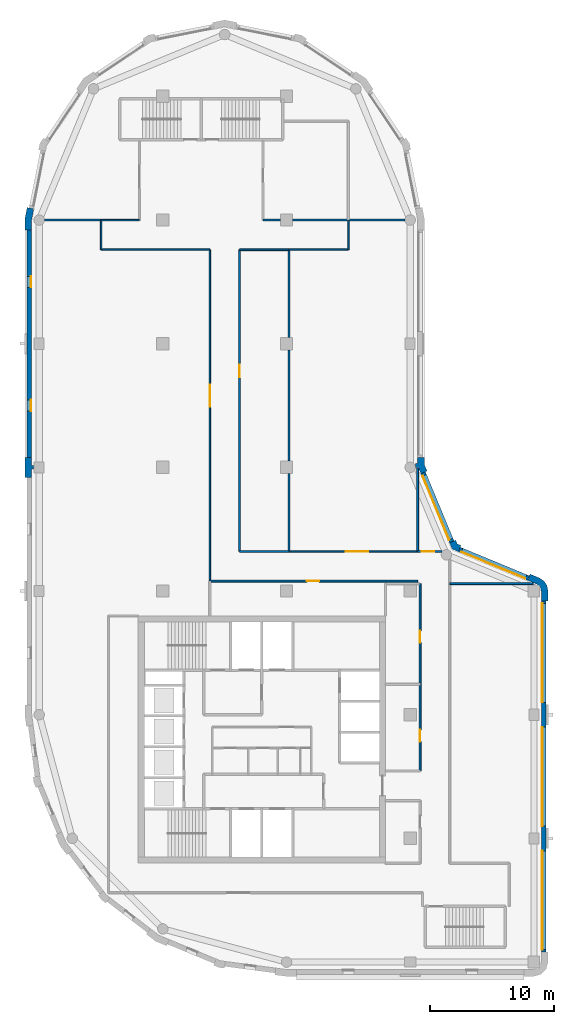
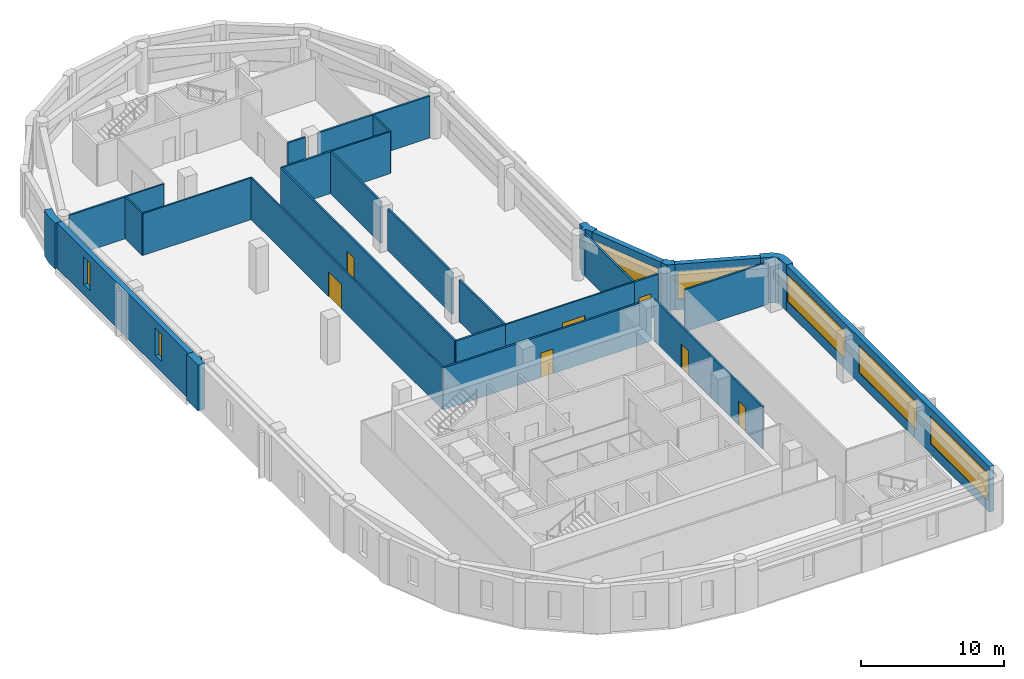
# One storey, part 4 of 8: 30 walls, 7 doors, 7 windows, 14 openings.
"""IFC4 building model written with IfcOpenShell, lengths in metres."""

import ifcopenshell
import ifcopenshell.guid

model = None  # the IFC model being written
_history = None  # IfcOwnerHistory: only IFC2X3 demands one
_inside = {}  # id of a spatial element -> (the spatial element, [elements in it])
_under = {}  # id of a project, library or spatial element -> (it, [spatial elements below it])
_declared = {}  # id of a project -> (the project, [libraries it declares])
_typed = {}  # id of a type object -> (the type object, [elements of that type])
_made_of = {}  # id of a material, layer set ... -> (it, [elements and type objects made of it])


def new_model(schema):
    """Start an empty IFC model of exactly this schema.

    Asked for "IFC4X3", IfcOpenShell would pick the latest addendum, in which some entities
    have other attributes; the version numbers below select the first issue.
    IFC2X3 requires an IfcOwnerHistory on every rooted entity: one is made here for all.
    """
    global model, _history
    if schema == "IFC4X3":
        model = ifcopenshell.file(schema_version=(4, 3, 0, 0))
    else:
        model = ifcopenshell.file(schema=schema)
    _inside.clear()
    _under.clear()
    _declared.clear()
    _typed.clear()
    _made_of.clear()
    _history = None
    if model.schema == "IFC2X3":
        org = make("IfcOrganization", Name="unknown")
        user = make(
            "IfcPersonAndOrganization",
            ThePerson=make("IfcPerson", FamilyName="unknown"),
            TheOrganization=org,
        )
        app = make(
            "IfcApplication",
            ApplicationDeveloper=org,
            Version="unknown",
            ApplicationFullName="unknown",
            ApplicationIdentifier="unknown",
        )
        _history = make(
            "IfcOwnerHistory",
            OwningUser=user,
            OwningApplication=app,
            ChangeAction="ADDED",
            CreationDate=0,
        )
    return model


def make(cls, **values):
    """One entity of the class cls with the attributes given. An attribute that is None is left unset."""
    return model.create_entity(
        cls, **{name: value for name, value in values.items() if value is not None}
    )


def rooted(cls, **values):
    """An entity with a GlobalId (a new one), such as an element, a storey or a relation."""
    return make(cls, GlobalId=ifcopenshell.guid.new(), OwnerHistory=_history, **values)


def si_unit(unit_type, name, prefix=None):
    """IfcSIUnit, for example si_unit("LENGTHUNIT", "METRE", prefix="MILLI")."""
    return make("IfcSIUnit", UnitType=unit_type, Prefix=prefix, Name=name)


def assignment(units):
    """IfcUnitAssignment: the units of a project."""
    return None if units is None else make("IfcUnitAssignment", Units=units)


def point(xyz):
    """IfcCartesianPoint."""
    return None if xyz is None else make("IfcCartesianPoint", Coordinates=xyz)


def direction(xyz):
    """IfcDirection."""
    return None if xyz is None else make("IfcDirection", DirectionRatios=xyz)


def frame(location, z_axis=None, x_axis=None):
    """IfcAxis2Placement3D, a coordinate frame: its origin and axes. An axis left out is left unset."""
    return make(
        "IfcAxis2Placement3D",
        Location=point(location),
        Axis=direction(z_axis),
        RefDirection=direction(x_axis),
    )


def frame_2d(location, x_axis=None):
    """IfcAxis2Placement2D, a coordinate frame in the plane: its origin and x axis."""
    return make(
        "IfcAxis2Placement2D", Location=point(location), RefDirection=direction(x_axis)
    )


def origin():
    """The frame at (0, 0, 0) with its axes left unset."""
    return frame((0.0, 0.0, 0.0))


def place(relative_to, where):
    """IfcLocalPlacement: puts the frame where relative to a parent placement (None: the world)."""
    return make(
        "IfcLocalPlacement", PlacementRelTo=relative_to, RelativePlacement=where
    )


def context(
    kind, dimensions, precision=None, world=None, true_north=None, identifier=None
):
    """IfcGeometricRepresentationContext, for example the 3D "Model" context."""
    return make(
        "IfcGeometricRepresentationContext",
        ContextIdentifier=identifier,
        ContextType=kind,
        CoordinateSpaceDimension=dimensions,
        Precision=precision,
        WorldCoordinateSystem=world,
        TrueNorth=true_north,
    )


def subcontext(parent, identifier, kind, view, scale=None):
    """IfcGeometricRepresentationSubContext, for example "Body" below "Model"."""
    return make(
        "IfcGeometricRepresentationSubContext",
        ContextIdentifier=identifier,
        ContextType=kind,
        ParentContext=parent,
        TargetScale=scale,
        TargetView=view,
    )


def project(units=None, contexts=None):
    """IfcProject with its units and contexts."""
    return rooted(
        "IfcProject",
        Name="project",
        RepresentationContexts=contexts,
        UnitsInContext=assignment(units),
    )


def spatial(cls, under=None, at=None, **own):
    """A site, building, storey or space (cls), placed at a placement, below another one or the project."""
    s = rooted(cls, ObjectPlacement=at, **own)
    if under is not None:
        _under.setdefault(under.id(), (under, []))[1].append(s)
    return s


def polyline(points):
    """IfcPolyline through the points."""
    return make("IfcPolyline", Points=[point(p) for p in points])


def profile(cls, at=None, kind="AREA", **sizes):
    """A parametric profile (cls). Its sizes go by their IFC names, for example OverallWidth=200.0."""
    return make(cls, ProfileType=kind, Position=at, **sizes)


def rectangle(**sizes):
    """IfcRectangleProfileDef."""
    return profile("IfcRectangleProfileDef", **sizes)


def outline(outer, holes=None, kind="AREA"):
    """IfcArbitraryClosedProfileDef: a profile drawn as a closed curve; with holes, ...WithVoids."""
    if holes is None:
        return make("IfcArbitraryClosedProfileDef", ProfileType=kind, OuterCurve=outer)
    return make(
        "IfcArbitraryProfileDefWithVoids",
        ProfileType=kind,
        OuterCurve=outer,
        InnerCurves=holes,
    )


def extrude(swept, where, along, depth):
    """IfcExtrudedAreaSolid: the profile swept, set in the frame where, extruded along a direction by depth."""
    return make(
        "IfcExtrudedAreaSolid",
        SweptArea=swept,
        Position=where,
        ExtrudedDirection=direction(along),
        Depth=depth,
    )


def shape(context_of_items, identifier, shape_type, items):
    """IfcShapeRepresentation: the items that make up one representation, for example the "Body"."""
    return make(
        "IfcShapeRepresentation",
        ContextOfItems=context_of_items,
        RepresentationIdentifier=identifier,
        RepresentationType=shape_type,
        Items=items,
    )


def material(Name=None, Category=None):
    """IfcMaterial."""
    return make("IfcMaterial", Name=Name, Category=Category)


def layer(
    of_material, thickness, ventilated=None, Name=None, Category=None, Priority=None
):
    """IfcMaterialLayer: one layer of a wall or slab, of a material (None: an air gap)."""
    return make(
        "IfcMaterialLayer",
        Material=of_material,
        LayerThickness=thickness,
        IsVentilated=ventilated,
        Name=Name,
        Category=Category,
        Priority=Priority,
    )


def layer_set(layers, Name=None):
    """IfcMaterialLayerSet."""
    return make("IfcMaterialLayerSet", MaterialLayers=layers, LayerSetName=Name)


def made_of(thing, what):
    """Note that an element or type object is made of a material, layer set ...; save() writes the relation."""
    if what is not None:
        _made_of.setdefault(what.id(), (what, []))[1].append(thing)
    return thing


def type_object(cls, material=None, **own):
    """A type object (cls), such as IfcWallType, which elements share."""
    return made_of(rooted(cls, **own), material)


def element(
    cls,
    number,
    at=None,
    inside=None,
    cuts=None,
    type_object=None,
    material=None,
    context=None,
    identifier="Body",
    shape_type=None,
    held_by="IfcProductDefinitionShape",
    body=None,
    shapes=None,
    **own,
):
    """One element of the class cls, such as IfcWall. Its Tag is "e" and its number.

    at: its placement. inside: the storey or other place that contains it. cuts: it is an
    opening in that element (IfcRelVoidsElement). A single representation is given by context,
    identifier, shape_type and body (its items); several are given by shapes. held_by: the class
    of the entity that holds the representations. save() writes the other relations.
    """
    e = rooted(cls, Tag="e%d" % number, ObjectPlacement=at, **own)
    if body is not None:
        shapes = [shape(context, identifier, shape_type, body)]
    if shapes is not None:
        e.Representation = make(held_by, Representations=shapes)
    if inside is not None:
        _inside.setdefault(inside.id(), (inside, []))[1].append(e)
    if cuts is not None:
        rooted(
            "IfcRelVoidsElement", RelatingBuildingElement=cuts, RelatedOpeningElement=e
        )
    if type_object is not None:
        _typed.setdefault(type_object.id(), (type_object, []))[1].append(e)
    return made_of(e, material)


def fill(opening, filler):
    """IfcRelFillsElement: the door or window that sits in an opening."""
    return rooted(
        "IfcRelFillsElement",
        RelatingOpeningElement=opening,
        RelatedBuildingElement=filler,
    )


def aggregate(whole, parts):
    """IfcRelAggregates: a whole, such as a stair, and the parts it consists of."""
    return rooted("IfcRelAggregates", RelatingObject=whole, RelatedObjects=parts)


def save(model, path):
    """Write the relations noted so far, then the file.

    IfcRelAggregates (storeys below a building ...), IfcRelContainedInSpatialStructure (elements
    in a storey), IfcRelDefinesByType, IfcRelAssociatesMaterial and IfcRelDeclares: one each for
    every whole, place, type object, material and project.
    """
    for whole, parts in _under.values():
        aggregate(whole, parts)
    for where, things in _inside.values():
        rooted(
            "IfcRelContainedInSpatialStructure",
            RelatedElements=things,
            RelatingStructure=where,
        )
    for kind, things in _typed.values():
        rooted("IfcRelDefinesByType", RelatedObjects=things, RelatingType=kind)
    for what, things in _made_of.values():
        rooted("IfcRelAssociatesMaterial", RelatedObjects=things, RelatingMaterial=what)
    for by, libraries in _declared.values():
        rooted("IfcRelDeclares", RelatingContext=by, RelatedDefinitions=libraries)
    model.write(path)


model = new_model("IFC4")

# Units and contexts
model_context = context("Model", 3, precision=1e-05, world=origin(), true_north=direction((0.0, 1.0)))
body_context = subcontext(model_context, "Body", "Model", "MODEL_VIEW")
ifc_project = project(units=[si_unit("LENGTHUNIT", "METRE"), si_unit("AREAUNIT", "SQUARE_METRE"), si_unit("VOLUMEUNIT", "CUBIC_METRE"), si_unit("PLANEANGLEUNIT", "RADIAN"), si_unit("MASSUNIT", "GRAM", prefix="KILO")], contexts=[model_context])

# Site, building, storey
site_placement = place(None, origin())
site = spatial("IfcSite", under=ifc_project, at=site_placement, CompositionType="ELEMENT")
building_placement = place(site_placement, origin())
building = spatial("IfcBuilding", under=site, at=building_placement, Name="Qaws Garden Tower", CompositionType="ELEMENT")
storey_placement = place(building_placement, frame((0.0, 0.0, 333.300048828125)))
storey = spatial("IfcBuildingStorey", under=building, at=storey_placement, Name="L81", CompositionType="ELEMENT", Elevation=333.300048828125)

# Wall
ifc_material_1 = material(Name="Clay facing brick masonry", Category="masonry")
ifc_layer_1 = layer(ifc_material_1, 0.550048828125)
ifc_layer_set_1 = layer_set([ifc_layer_1], Name="Clay facing brick masonry")
wall_type_1 = type_object("IfcWallType", Name="Brick corner pier 550 x 2400", PredefinedType="SOLIDWALL", material=ifc_layer_set_1)
placement = place(storey_placement, origin())
element("IfcWall", 1, at=placement, inside=storey, type_object=wall_type_1, Name="E-L81-pier-05", PredefinedType="SOLIDWALL", context=body_context, shape_type="SweptSolid", body=[
    extrude(outline(polyline([(41.0, 29.199951171875), (41.14990234375, 29.199951171875), (41.14990234375, 30.0), (41.0625, 30.440185546875), (40.813232421875, 30.813232421875), (40.440185546875, 31.0625), (39.700927734375, 31.36865234375), (39.6435546875, 31.22998046875), (39.490478515625, 30.860595703125), (40.2294921875, 30.554443359375), (40.42431640625, 30.42431640625), (40.554443359375, 30.2294921875), (40.60009765625, 30.0), (40.60009765625, 29.199951171875), (41.0, 29.199951171875)])), origin(), (0.0, 0.0, 1.0), 3.89990234375),
])

# Wall, openings, windows
ifc_material_2 = material(Name="Clay facing brick masonry", Category="masonry")
ifc_layer_2 = layer(ifc_material_2, 0.39990234375)
ifc_layer_set_2 = layer_set([ifc_layer_2], Name="Clay facing brick masonry")
wall_type_2 = type_object("IfcWallType", Name="Brick infill wall 400", PredefinedType="SOLIDWALL", material=ifc_layer_set_2)
wall_2_placement = place(storey_placement, frame((40.800048828125, 0.800048828125, 0.0), z_axis=(0.0, 0.0, 1.0), x_axis=(0.0, 1.0, 0.0)))
wall_2 = element("IfcWall", 2, at=wall_2_placement, inside=storey, type_object=wall_type_2, Name="E-L81-infill-02", PredefinedType="SOLIDWALL", context=body_context, shape_type="SweptSolid", body=[
    extrude(rectangle(XDim=28.39990234375, YDim=0.39990234375, at=frame_2d((14.199951171875, 0.0))), origin(), (0.0, 0.0, 1.0), 3.89990234375),
])
opening_1_placement = place(wall_2_placement, frame((0.199951171875, 0.0, 0.89990234375)))
opening_1 = element("IfcOpeningElement", 3, at=opening_1_placement, cuts=wall_2, Name="Opening W01", PredefinedType="OPENING", context=body_context, shape_type="SweptSolid", body=[
    extrude(rectangle(XDim=8.0, YDim=2.35009765625, at=frame_2d((4.0, 1.175048828125))), frame((0.0, 0.2099609375, 0.0), z_axis=(0.0, -1.0, 0.0), x_axis=(1.0, 0.0, 0.0)), (0.0, 0.0, 1.0), 0.419921875),
])
opening_2_placement = place(wall_2_placement, frame((10.199951171875, 0.0, 0.89990234375)))
opening_2 = element("IfcOpeningElement", 4, at=opening_2_placement, cuts=wall_2, Name="Opening W01", PredefinedType="OPENING", context=body_context, shape_type="SweptSolid", body=[
    extrude(rectangle(XDim=8.0, YDim=2.35009765625, at=frame_2d((4.0, 1.175048828125))), frame((0.0, 0.2099609375, 0.0), z_axis=(0.0, -1.0, 0.0), x_axis=(1.0, 0.0, 0.0)), (0.0, 0.0, 1.0), 0.419921875),
])
opening_3_placement = place(wall_2_placement, frame((20.199951171875, 0.0, 0.89990234375)))
opening_3 = element("IfcOpeningElement", 5, at=opening_3_placement, cuts=wall_2, Name="Opening W01", PredefinedType="OPENING", context=body_context, shape_type="SweptSolid", body=[
    extrude(rectangle(XDim=8.0, YDim=2.35009765625, at=frame_2d((4.0, 1.175048828125))), frame((0.0, 0.2099609375, 0.0), z_axis=(0.0, -1.0, 0.0), x_axis=(1.0, 0.0, 0.0)), (0.0, 0.0, 1.0), 0.419921875),
])
ifc_material_3 = material(Name="Aluminium framed window, clear glazing", Category="aluminium")
window_type_1 = type_object("IfcWindowType", Name="Ribbon window 8000 x 2350", PartitioningType="DOUBLE_PANEL_VERTICAL", PredefinedType="WINDOW", material=ifc_material_3)
window_1_placement = place(opening_1_placement, origin())
window_1 = element("IfcWindow", 6, at=window_1_placement, inside=storey, type_object=window_type_1, Name="E-L81-window-02-0", OverallHeight=2.35009765625, OverallWidth=8.0, PartitioningType="SINGLE_PANEL", PredefinedType="WINDOW", context=body_context, shape_type="SweptSolid", body=[
    extrude(rectangle(XDim=8.0, YDim=2.35009765625, at=frame_2d((4.0, 1.175048828125))), frame((0.0, 0.159912109375, 0.0), z_axis=(0.0, -1.0, 0.0), x_axis=(1.0, 0.0, 0.0)), (0.0, 0.0, 1.0), 0.06005859375),
])
fill(opening_1, window_1)
window_2_placement = place(opening_2_placement, origin())
window_2 = element("IfcWindow", 7, at=window_2_placement, inside=storey, type_object=window_type_1, Name="E-L81-window-03-0", OverallHeight=2.35009765625, OverallWidth=8.0, PartitioningType="SINGLE_PANEL", PredefinedType="WINDOW", context=body_context, shape_type="SweptSolid", body=[
    extrude(rectangle(XDim=8.0, YDim=2.35009765625, at=frame_2d((4.0, 1.175048828125))), frame((0.0, 0.159912109375, 0.0), z_axis=(0.0, -1.0, 0.0), x_axis=(1.0, 0.0, 0.0)), (0.0, 0.0, 1.0), 0.06005859375),
])
fill(opening_2, window_2)
window_3_placement = place(opening_3_placement, origin())
window_3 = element("IfcWindow", 8, at=window_3_placement, inside=storey, type_object=window_type_1, Name="E-L81-window-04-0", OverallHeight=2.35009765625, OverallWidth=8.0, PartitioningType="SINGLE_PANEL", PredefinedType="WINDOW", context=body_context, shape_type="SweptSolid", body=[
    extrude(rectangle(XDim=8.0, YDim=2.35009765625, at=frame_2d((4.0, 1.175048828125))), frame((0.0, 0.159912109375, 0.0), z_axis=(0.0, -1.0, 0.0), x_axis=(1.0, 0.0, 0.0)), (0.0, 0.0, 1.0), 0.06005859375),
])
fill(opening_3, window_3)

# Wall, opening, window
wall_3_placement = place(storey_placement, frame((39.56689453125, 31.04541015625, 0.0), z_axis=(0.0, 0.0, 1.0), x_axis=(-0.923891000409, 0.382655745237, 0.0)))
wall_3 = element("IfcWall", 9, at=wall_3_placement, inside=storey, type_object=wall_type_2, Name="E-L81-infill-05", PredefinedType="SOLIDWALL", context=body_context, shape_type="SweptSolid", body=[
    extrude(rectangle(XDim=6.053466796875, YDim=0.39990234375, at=frame_2d((3.02685546875, 0.0))), origin(), (0.0, 0.0, 1.0), 3.89990234375),
])
opening_4_placement = place(wall_3_placement, frame((0.226806640625, 0.0, 0.89990234375)))
opening_4 = element("IfcOpeningElement", 10, at=opening_4_placement, cuts=wall_3, Name="Opening W04", PredefinedType="OPENING", context=body_context, shape_type="SweptSolid", body=[
    extrude(rectangle(XDim=5.60009765625, YDim=2.35009765625, at=frame_2d((2.800048828125, 1.175048828125))), frame((0.0, 0.2099609375, 0.0), z_axis=(0.0, -1.0, 0.0), x_axis=(1.0, 0.0, 0.0)), (0.0, 0.0, 1.0), 0.419921875),
])
ifc_material_4 = material(Name="Aluminium framed window, clear glazing", Category="aluminium")
window_type_2 = type_object("IfcWindowType", Name="Ribbon window 5600 x 2350", PartitioningType="DOUBLE_PANEL_VERTICAL", PredefinedType="WINDOW", material=ifc_material_4)
window_4_placement = place(opening_4_placement, origin())
window_4 = element("IfcWindow", 11, at=window_4_placement, inside=storey, type_object=window_type_2, Name="E-L81-window-05-0", OverallHeight=2.35009765625, OverallWidth=5.60009765625, PartitioningType="SINGLE_PANEL", PredefinedType="WINDOW", context=body_context, shape_type="SweptSolid", body=[
    extrude(rectangle(XDim=5.60009765625, YDim=2.35009765625, at=frame_2d((2.800048828125, 1.175048828125))), frame((0.0, 0.159912109375, 0.0), z_axis=(0.0, -1.0, 0.0), x_axis=(1.0, 0.0, 0.0)), (0.0, 0.0, 1.0), 0.06005859375),
])
fill(opening_4, window_4)

wall_4_placement = place(storey_placement, frame((33.36181640625, 33.97412109375, 0.0), z_axis=(0.0, 0.0, 1.0), x_axis=(-0.382655745237, 0.923891000409, 0.0)))
wall_4 = element("IfcWall", 12, at=wall_4_placement, inside=storey, type_object=wall_type_2, Name="E-L81-infill-06", PredefinedType="SOLIDWALL", context=body_context, shape_type="SweptSolid", body=[
    extrude(rectangle(XDim=6.053466796875, YDim=0.39990234375, at=frame_2d((3.02685546875, 0.0))), origin(), (0.0, 0.0, 1.0), 3.89990234375),
])
opening_5_placement = place(wall_4_placement, frame((0.226806640625, 0.0, 0.89990234375)))
opening_5 = element("IfcOpeningElement", 13, at=opening_5_placement, cuts=wall_4, Name="Opening W04", PredefinedType="OPENING", context=body_context, shape_type="SweptSolid", body=[
    extrude(rectangle(XDim=5.60009765625, YDim=2.35009765625, at=frame_2d((2.800048828125, 1.175048828125))), frame((0.0, 0.2099609375, 0.0), z_axis=(0.0, -1.0, 0.0), x_axis=(1.0, 0.0, 0.0)), (0.0, 0.0, 1.0), 0.419921875),
])
window_5_placement = place(opening_5_placement, origin())
window_5 = element("IfcWindow", 14, at=window_5_placement, inside=storey, type_object=window_type_2, Name="E-L81-window-06-0", OverallHeight=2.35009765625, OverallWidth=5.60009765625, PartitioningType="SINGLE_PANEL", PredefinedType="WINDOW", context=body_context, shape_type="SweptSolid", body=[
    extrude(rectangle(XDim=5.60009765625, YDim=2.35009765625, at=frame_2d((2.800048828125, 1.175048828125))), frame((0.0, 0.159912109375, 0.0), z_axis=(0.0, -1.0, 0.0), x_axis=(1.0, 0.0, 0.0)), (0.0, 0.0, 1.0), 0.06005859375),
])
fill(opening_5, window_5)

# Wall, openings, windows
wall_5_placement = place(storey_placement, frame((-0.800048828125, 59.199951171875, 0.0), z_axis=(0.0, 0.0, 1.0), x_axis=(0.0, -1.0, 0.0)))
wall_5 = element("IfcWall", 15, at=wall_5_placement, inside=storey, type_object=wall_type_2, Name="E-L81-infill-17", PredefinedType="SOLIDWALL", context=body_context, shape_type="SweptSolid", body=[
    extrude(rectangle(XDim=18.39990234375, YDim=0.39990234375, at=frame_2d((9.199951171875, 0.0))), origin(), (0.0, 0.0, 1.0), 3.89990234375),
])
opening_6_placement = place(wall_5_placement, frame((3.75, 0.0, 0.89990234375)))
opening_6 = element("IfcOpeningElement", 16, at=opening_6_placement, cuts=wall_5, Name="Opening W09", PredefinedType="OPENING", context=body_context, shape_type="SweptSolid", body=[
    extrude(rectangle(XDim=0.89990234375, YDim=2.35009765625, at=frame_2d((0.449951171875, 1.175048828125))), frame((0.0, 0.2099609375, 0.0), z_axis=(0.0, -1.0, 0.0), x_axis=(1.0, 0.0, 0.0)), (0.0, 0.0, 1.0), 0.419921875),
])
opening_7_placement = place(wall_5_placement, frame((13.75, 0.0, 0.89990234375)))
opening_7 = element("IfcOpeningElement", 17, at=opening_7_placement, cuts=wall_5, Name="Opening W09", PredefinedType="OPENING", context=body_context, shape_type="SweptSolid", body=[
    extrude(rectangle(XDim=0.89990234375, YDim=2.35009765625, at=frame_2d((0.449951171875, 1.175048828125))), frame((0.0, 0.2099609375, 0.0), z_axis=(0.0, -1.0, 0.0), x_axis=(1.0, 0.0, 0.0)), (0.0, 0.0, 1.0), 0.419921875),
])
ifc_material_5 = material(Name="Aluminium framed window, clear glazing", Category="aluminium")
window_type_3 = type_object("IfcWindowType", Name="Slit window 900 x 2350", PartitioningType="SINGLE_PANEL", PredefinedType="WINDOW", material=ifc_material_5)
window_6_placement = place(opening_6_placement, origin())
window_6 = element("IfcWindow", 18, at=window_6_placement, inside=storey, type_object=window_type_3, Name="E-L81-window-17-0", OverallHeight=2.35009765625, OverallWidth=0.89990234375, PartitioningType="SINGLE_PANEL", PredefinedType="WINDOW", context=body_context, shape_type="SweptSolid", body=[
    extrude(rectangle(XDim=0.89990234375, YDim=2.35009765625, at=frame_2d((0.449951171875, 1.175048828125))), frame((0.0, 0.159912109375, 0.0), z_axis=(0.0, -1.0, 0.0), x_axis=(1.0, 0.0, 0.0)), (0.0, 0.0, 1.0), 0.06005859375),
])
fill(opening_6, window_6)
window_7_placement = place(opening_7_placement, origin())
window_7 = element("IfcWindow", 19, at=window_7_placement, inside=storey, type_object=window_type_3, Name="E-L81-window-18-0", OverallHeight=2.35009765625, OverallWidth=0.89990234375, PartitioningType="SINGLE_PANEL", PredefinedType="WINDOW", context=body_context, shape_type="SweptSolid", body=[
    extrude(rectangle(XDim=0.89990234375, YDim=2.35009765625, at=frame_2d((0.449951171875, 1.175048828125))), frame((0.0, 0.159912109375, 0.0), z_axis=(0.0, -1.0, 0.0), x_axis=(1.0, 0.0, 0.0)), (0.0, 0.0, 1.0), 0.06005859375),
])
fill(opening_7, window_7)

# Walls
ifc_material_6 = material(Name="Clay facing brick masonry", Category="masonry")
ifc_layer_3 = layer(ifc_material_6, 0.550048828125)
ifc_layer_set_3 = layer_set([ifc_layer_3], Name="Clay facing brick masonry")
wall_type_3 = type_object("IfcWallType", Name="Brick pier 550 x 1600", PredefinedType="SOLIDWALL", material=ifc_layer_set_3)
element("IfcWall", 20, at=placement, inside=storey, type_object=wall_type_3, Name="E-L81-pier-06", PredefinedType="SOLIDWALL", context=body_context, shape_type="SweptSolid", body=[
    extrude(outline(polyline([(34.05078125, 33.546630859375), (34.108154296875, 33.685302734375), (33.80908203125, 33.80908203125), (33.685302734375, 34.108154296875), (33.546630859375, 34.05078125), (33.177001953125, 33.897705078125), (33.38818359375, 33.38818359375), (33.897705078125, 33.177001953125), (34.05078125, 33.546630859375)])), origin(), (0.0, 0.0, 1.0), 3.89990234375),
])
element("IfcWall", 21, at=placement, inside=storey, type_object=wall_type_3, Name="E-L81-pier-07", PredefinedType="SOLIDWALL", context=body_context, shape_type="SweptSolid", body=[
    extrude(outline(polyline([(30.6201171875, 39.995361328125), (30.6201171875, 40.071044921875), (30.860595703125, 39.490478515625), (31.22998046875, 39.6435546875), (31.36865234375, 39.700927734375), (31.14990234375, 40.228759765625), (31.14990234375, 40.800048828125), (31.0, 40.800048828125), (30.60009765625, 40.800048828125), (30.60009765625, 40.29541015625), (30.425048828125, 40.29541015625), (30.425048828125, 39.995361328125), (30.6201171875, 39.995361328125)])), origin(), (0.0, 0.0, 1.0), 3.89990234375),
])
element("IfcWall", 22, at=placement, inside=storey, type_object=wall_type_3, Name="E-L81-pier-17", PredefinedType="SOLIDWALL", context=body_context, shape_type="SweptSolid", body=[
    extrude(outline(polyline([(-0.82470703125, 60.979736328125), (-0.971923828125, 61.009033203125), (-1.14990234375, 60.11328125), (-1.14990234375, 59.199951171875), (-1.0, 59.199951171875), (-0.60009765625, 59.199951171875), (-0.60009765625, 60.05908203125), (-0.432373046875, 60.901611328125), (-0.82470703125, 60.979736328125)])), origin(), (0.0, 0.0, 1.0), 3.89990234375),
])
element("IfcWall", 23, at=placement, inside=storey, type_object=wall_type_3, Name="E-L81-pier-19", PredefinedType="SOLIDWALL", context=body_context, shape_type="SweptSolid", body=[
    extrude(outline(polyline([(-0.60009765625, 39.199951171875), (-0.60009765625, 39.85009765625), (-0.449951171875, 39.85009765625), (-0.449951171875, 40.14990234375), (-0.60009765625, 40.14990234375), (-0.60009765625, 40.800048828125), (-1.0, 40.800048828125), (-1.14990234375, 40.800048828125), (-1.14990234375, 40.0), (-1.14990234375, 39.199951171875), (-1.0, 39.199951171875), (-0.60009765625, 39.199951171875)])), origin(), (0.0, 0.0, 1.0), 3.89990234375),
])
ifc_material_7 = material(Name="Glass and aluminium framing", Category="aluminium")
ifc_layer_4 = layer(ifc_material_7, 0.1201171875)
ifc_layer_set_4 = layer_set([ifc_layer_4], Name="Glass and aluminium framing")
wall_type_4 = type_object("IfcWallType", Name="GLAZED PARTITION 120 EI 30", PredefinedType="PARTITIONING", material=ifc_layer_set_4)
wall_10_placement = place(storey_placement, frame((5.0, 57.60009765625, 0.0), z_axis=(0.0, 0.0, 1.0), x_axis=(0.0, 1.0, 0.0)))
element("IfcWall", 24, at=wall_10_placement, inside=storey, type_object=wall_type_4, Name="O-L81-wall-031", PredefinedType="PARTITIONING", context=body_context, shape_type="SweptSolid", body=[
    extrude(rectangle(XDim=2.39990234375, YDim=0.1201171875, at=frame_2d((1.199951171875, 0.0))), origin(), (0.0, 0.0, 1.0), 3.579833984375),
])

# Wall, opening, door
wall_11_placement = place(storey_placement, frame((13.800048828125, 30.800048828125, 0.0), z_axis=(0.0, 0.0, 1.0), x_axis=(0.0, 1.0, 0.0)))
wall_11 = element("IfcWall", 25, at=wall_11_placement, inside=storey, type_object=wall_type_4, Name="O-L81-wall-034", PredefinedType="PARTITIONING", context=body_context, shape_type="SweptSolid", body=[
    extrude(rectangle(XDim=26.800048828125, YDim=0.1201171875, at=frame_2d((13.39990234375, 0.0))), origin(), (0.0, 0.0, 1.0), 3.579833984375),
])
opening_8_placement = place(wall_11_placement, frame((14.10009765625, 0.0, 0.0)))
opening_8 = element("IfcOpeningElement", 26, at=opening_8_placement, cuts=wall_11, Name="Opening C906", PredefinedType="OPENING", context=body_context, shape_type="SweptSolid", body=[
    extrude(rectangle(XDim=1.800048828125, YDim=2.10009765625, at=frame_2d((0.89990234375, 1.050048828125))), frame((0.0, 0.070068359375, 0.0), z_axis=(0.0, -1.0, 0.0), x_axis=(1.0, 0.0, 0.0)), (0.0, 0.0, 1.0), 0.14013671875),
])
ifc_material_8 = material(Name="Timber door leaf", Category="wood")
door_type_1 = type_object("IfcDoorType", Name="DOUBLE DOOR 1800 X 2100", OperationType="DOUBLE_DOOR_SINGLE_SWING", PredefinedType="DOOR", material=ifc_material_8)
door_1_placement = place(opening_8_placement, origin())
door_1 = element("IfcDoor", 27, at=door_1_placement, inside=storey, type_object=door_type_1, Name="O-L81-door-006", OperationType="DOUBLE_DOOR_SINGLE_SWING", OverallHeight=2.10009765625, OverallWidth=1.800048828125, PredefinedType="DOOR", context=body_context, shape_type="SweptSolid", body=[
    extrude(rectangle(XDim=1.800048828125, YDim=2.10009765625, at=frame_2d((0.89990234375, 1.050048828125))), frame((0.0, 0.02490234375, 0.0), z_axis=(0.0, -1.0, 0.0), x_axis=(1.0, 0.0, 0.0)), (0.0, 0.0, 1.0), 0.050048828125),
])
fill(opening_8, door_1)

# Wall
wall_12_placement = place(storey_placement, frame((25.0, 57.60009765625, 0.0), z_axis=(0.0, 0.0, 1.0), x_axis=(0.0, 1.0, 0.0)))
element("IfcWall", 28, at=wall_12_placement, inside=storey, type_object=wall_type_4, Name="O-L81-wall-035", PredefinedType="PARTITIONING", context=body_context, shape_type="SweptSolid", body=[
    extrude(rectangle(XDim=2.39990234375, YDim=0.1201171875, at=frame_2d((1.199951171875, 0.0))), origin(), (0.0, 0.0, 1.0), 3.579833984375),
])

# Wall, opening, door
wall_13_placement = place(storey_placement, frame((20.199951171875, 33.199951171875, 0.0), z_axis=(0.0, 0.0, 1.0), x_axis=(1.0, 0.0, 0.0)))
wall_13 = element("IfcWall", 29, at=wall_13_placement, inside=storey, type_object=wall_type_4, Name="O-L81-wall-037", PredefinedType="PARTITIONING", context=body_context, shape_type="SweptSolid", body=[
    extrude(rectangle(XDim=10.400146484375, YDim=0.1201171875, at=frame_2d((5.2001953125, 0.0))), origin(), (0.0, 0.0, 1.0), 3.579833984375),
])
opening_9_placement = place(wall_13_placement, frame((4.60009765625, 0.0, 0.0)))
opening_9 = element("IfcOpeningElement", 30, at=opening_9_placement, cuts=wall_13, Name="Opening C908", PredefinedType="OPENING", context=body_context, shape_type="SweptSolid", body=[
    extrude(rectangle(XDim=1.800048828125, YDim=2.10009765625, at=frame_2d((0.89990234375, 1.050048828125))), frame((0.0, 0.070068359375, 0.0), z_axis=(0.0, -1.0, 0.0), x_axis=(1.0, 0.0, 0.0)), (0.0, 0.0, 1.0), 0.14013671875),
])
door_2_placement = place(opening_9_placement, origin())
door_2 = element("IfcDoor", 31, at=door_2_placement, inside=storey, type_object=door_type_1, Name="O-L81-door-008", OperationType="DOUBLE_DOOR_SINGLE_SWING", OverallHeight=2.10009765625, OverallWidth=1.800048828125, PredefinedType="DOOR", context=body_context, shape_type="SweptSolid", body=[
    extrude(rectangle(XDim=1.800048828125, YDim=2.10009765625, at=frame_2d((0.89990234375, 1.050048828125))), frame((0.0, 0.02490234375, 0.0), z_axis=(0.0, -1.0, 0.0), x_axis=(1.0, 0.0, 0.0)), (0.0, 0.0, 1.0), 0.050048828125),
])
fill(opening_9, door_2)

# Walls
wall_14_placement = place(storey_placement, frame((5.0, 57.60009765625, 0.0), z_axis=(0.0, 0.0, 1.0), x_axis=(1.0, 0.0, 0.0)))
element("IfcWall", 32, at=wall_14_placement, inside=storey, type_object=wall_type_4, Name="O-L81-wall-038", PredefinedType="PARTITIONING", context=body_context, shape_type="SweptSolid", body=[
    extrude(rectangle(XDim=8.800048828125, YDim=0.1201171875, at=frame_2d((4.39990234375, 0.0))), origin(), (0.0, 0.0, 1.0), 3.579833984375),
])
wall_15_placement = place(storey_placement, frame((20.199951171875, 57.60009765625, 0.0), z_axis=(0.0, 0.0, 1.0), x_axis=(1.0, 0.0, 0.0)))
element("IfcWall", 33, at=wall_15_placement, inside=storey, type_object=wall_type_4, Name="O-L81-wall-039", PredefinedType="PARTITIONING", context=body_context, shape_type="SweptSolid", body=[
    extrude(rectangle(XDim=4.800048828125, YDim=0.1201171875, at=frame_2d((2.39990234375, 0.0))), origin(), (0.0, 0.0, 1.0), 3.579833984375),
])
wall_16_placement = place(storey_placement, frame((5.0, 60.0, 0.0), z_axis=(0.0, 0.0, 1.0), x_axis=(1.0, 0.0, 0.0)))
element("IfcWall", 34, at=wall_16_placement, inside=storey, type_object=wall_type_4, Name="O-L81-wall-040", PredefinedType="PARTITIONING", context=body_context, shape_type="SweptSolid", body=[
    extrude(rectangle(XDim=3.10009765625, YDim=0.1201171875, at=frame_2d((1.550048828125, 0.0))), origin(), (0.0, 0.0, 1.0), 3.579833984375),
])

# Wall, opening, door
ifc_material_9 = material(Name="Gypsum board partition")
ifc_layer_5 = layer(ifc_material_9, 0.14990234375)
ifc_layer_set_5 = layer_set([ifc_layer_5], Name="Gypsum board partition")
wall_type_5 = type_object("IfcWallType", Name="PARTITION 150 EI 60", PredefinedType="PARTITIONING", material=ifc_layer_set_5)
wall_17_placement = place(storey_placement, frame((16.199951171875, 33.199951171875, 0.0), z_axis=(0.0, 0.0, 1.0), x_axis=(0.0, 1.0, 0.0)))
wall_17 = element("IfcWall", 35, at=wall_17_placement, inside=storey, type_object=wall_type_5, Name="O-L81-wall-002", PredefinedType="PARTITIONING", context=body_context, shape_type="SweptSolid", body=[
    extrude(rectangle(XDim=24.400146484375, YDim=0.14990234375, at=frame_2d((12.2001953125, 0.0))), origin(), (0.0, 0.0, 1.0), 3.579833984375),
])
opening_10_placement = place(wall_17_placement, frame((14.10009765625, 0.0, 0.0)))
opening_10 = element("IfcOpeningElement", 36, at=opening_10_placement, cuts=wall_17, Name="Opening C907", PredefinedType="OPENING", context=body_context, shape_type="SweptSolid", body=[
    extrude(rectangle(XDim=1.0, YDim=2.10009765625, at=frame_2d((0.5, 1.050048828125))), frame((0.0, 0.0849609375, 0.0), z_axis=(0.0, -1.0, 0.0), x_axis=(1.0, 0.0, 0.0)), (0.0, 0.0, 1.0), 0.169921875),
])
ifc_material_10 = material(Name="Timber door leaf", Category="wood")
door_type_2 = type_object("IfcDoorType", Name="TENANCY ENTRANCE DOOR 1000 X 2100", OperationType="SINGLE_SWING_LEFT", PredefinedType="DOOR", material=ifc_material_10)
door_3_placement = place(opening_10_placement, frame((1.0, 0.0, 0.0), z_axis=(0.0, 0.0, 1.0), x_axis=(-1.0, 0.0, 0.0)))
door_3 = element("IfcDoor", 37, at=door_3_placement, inside=storey, type_object=door_type_2, Name="O-L81-door-007", OperationType="SINGLE_SWING_RIGHT", OverallHeight=2.10009765625, OverallWidth=1.0, PredefinedType="DOOR", context=body_context, shape_type="SweptSolid", body=[
    extrude(rectangle(XDim=1.0, YDim=2.10009765625, at=frame_2d((0.5, 1.050048828125))), frame((0.0, 0.02490234375, 0.0), z_axis=(0.0, -1.0, 0.0), x_axis=(1.0, 0.0, 0.0)), (0.0, 0.0, 1.0), 0.050048828125),
])
fill(opening_10, door_3)

# Walls
wall_18_placement = place(storey_placement, frame((20.199951171875, 33.199951171875, 0.0), z_axis=(0.0, 0.0, 1.0), x_axis=(0.0, 1.0, 0.0)))
element("IfcWall", 38, at=wall_18_placement, inside=storey, type_object=wall_type_5, Name="O-L81-wall-004", PredefinedType="PARTITIONING", context=body_context, shape_type="SweptSolid", body=[
    extrude(rectangle(XDim=6.300048828125, YDim=0.14990234375, at=frame_2d((3.14990234375, 0.0))), origin(), (0.0, 0.0, 1.0), 3.579833984375),
])
wall_19_placement = place(storey_placement, frame((20.199951171875, 40.5, 0.0), z_axis=(0.0, 0.0, 1.0), x_axis=(0.0, 1.0, 0.0)))
element("IfcWall", 39, at=wall_19_placement, inside=storey, type_object=wall_type_5, Name="O-L81-wall-005", PredefinedType="PARTITIONING", context=body_context, shape_type="SweptSolid", body=[
    extrude(rectangle(XDim=9.0, YDim=0.14990234375, at=frame_2d((4.5, 0.0))), origin(), (0.0, 0.0, 1.0), 3.579833984375),
])
wall_20_placement = place(storey_placement, frame((20.199951171875, 50.5, 0.0), z_axis=(0.0, 0.0, 1.0), x_axis=(0.0, 1.0, 0.0)))
element("IfcWall", 40, at=wall_20_placement, inside=storey, type_object=wall_type_5, Name="O-L81-wall-006", PredefinedType="PARTITIONING", context=body_context, shape_type="SweptSolid", body=[
    extrude(rectangle(XDim=7.10009765625, YDim=0.14990234375, at=frame_2d((3.550048828125, 0.0))), origin(), (0.0, 0.0, 1.0), 3.579833984375),
])
wall_21_placement = place(storey_placement, frame((30.60009765625, 33.199951171875, 0.0), z_axis=(0.0, 0.0, 1.0), x_axis=(0.0, 1.0, 0.0)))
element("IfcWall", 41, at=wall_21_placement, inside=storey, type_object=wall_type_5, Name="O-L81-wall-009", PredefinedType="PARTITIONING", context=body_context, shape_type="SweptSolid", body=[
    extrude(rectangle(XDim=6.73828125, YDim=0.14990234375, at=frame_2d((3.369140625, 0.0))), origin(), (0.0, 0.0, 1.0), 3.579833984375),
])

# Wall, openings, doors
wall_22_placement = place(storey_placement, frame((30.800048828125, 15.449951171875, 0.0), z_axis=(0.0, 0.0, 1.0), x_axis=(0.0, 1.0, 0.0)))
wall_22 = element("IfcWall", 42, at=wall_22_placement, inside=storey, type_object=wall_type_5, Name="O-L81-wall-011", PredefinedType="PARTITIONING", context=body_context, shape_type="SweptSolid", body=[
    extrude(rectangle(XDim=15.150146484375, YDim=0.14990234375, at=frame_2d((7.5751953125, 0.0))), origin(), (0.0, 0.0, 1.0), 3.579833984375),
])
opening_11_placement = place(wall_22_placement, frame((2.35009765625, 0.0, 0.0)))
opening_11 = element("IfcOpeningElement", 43, at=opening_11_placement, cuts=wall_22, Name="Opening C902", PredefinedType="OPENING", context=body_context, shape_type="SweptSolid", body=[
    extrude(rectangle(XDim=1.0, YDim=2.10009765625, at=frame_2d((0.5, 1.050048828125))), frame((0.0, 0.0849609375, 0.0), z_axis=(0.0, -1.0, 0.0), x_axis=(1.0, 0.0, 0.0)), (0.0, 0.0, 1.0), 0.169921875),
])
opening_12_placement = place(wall_22_placement, frame((10.35009765625, 0.0, 0.0)))
opening_12 = element("IfcOpeningElement", 44, at=opening_12_placement, cuts=wall_22, Name="Opening C904", PredefinedType="OPENING", context=body_context, shape_type="SweptSolid", body=[
    extrude(rectangle(XDim=1.0, YDim=2.10009765625, at=frame_2d((0.5, 1.050048828125))), frame((0.0, 0.0849609375, 0.0), z_axis=(0.0, -1.0, 0.0), x_axis=(1.0, 0.0, 0.0)), (0.0, 0.0, 1.0), 0.169921875),
])
door_4_placement = place(opening_11_placement, origin())
door_4 = element("IfcDoor", 45, at=door_4_placement, inside=storey, type_object=door_type_2, Name="O-L81-door-002", OperationType="SINGLE_SWING_RIGHT", OverallHeight=2.10009765625, OverallWidth=1.0, PredefinedType="DOOR", context=body_context, shape_type="SweptSolid", body=[
    extrude(rectangle(XDim=1.0, YDim=2.10009765625, at=frame_2d((0.5, 1.050048828125))), frame((0.0, 0.02490234375, 0.0), z_axis=(0.0, -1.0, 0.0), x_axis=(1.0, 0.0, 0.0)), (0.0, 0.0, 1.0), 0.050048828125),
])
fill(opening_11, door_4)
door_5_placement = place(opening_12_placement, origin())
door_5 = element("IfcDoor", 46, at=door_5_placement, inside=storey, type_object=door_type_2, Name="O-L81-door-004", OperationType="SINGLE_SWING_RIGHT", OverallHeight=2.10009765625, OverallWidth=1.0, PredefinedType="DOOR", context=body_context, shape_type="SweptSolid", body=[
    extrude(rectangle(XDim=1.0, YDim=2.10009765625, at=frame_2d((0.5, 1.050048828125))), frame((0.0, 0.02490234375, 0.0), z_axis=(0.0, -1.0, 0.0), x_axis=(1.0, 0.0, 0.0)), (0.0, 0.0, 1.0), 0.050048828125),
])
fill(opening_12, door_5)

# Wall
wall_23_placement = place(storey_placement, frame((33.199951171875, 30.60009765625, 0.0), z_axis=(0.0, 0.0, 1.0), x_axis=(1.0, 0.0, 0.0)))
element("IfcWall", 47, at=wall_23_placement, inside=storey, type_object=wall_type_5, Name="O-L81-wall-022", PredefinedType="PARTITIONING", context=body_context, shape_type="SweptSolid", body=[
    extrude(rectangle(XDim=6.73828125, YDim=0.14990234375, at=frame_2d((3.369140625, 0.0))), origin(), (0.0, 0.0, 1.0), 3.579833984375),
])

# Wall, opening, door
wall_24_placement = place(storey_placement, frame((13.802001953125, 30.800048828125, 0.0), z_axis=(0.0, 0.0, 1.0), x_axis=(1.0, 0.0, 0.0)))
wall_24 = element("IfcWall", 48, at=wall_24_placement, inside=storey, type_object=wall_type_5, Name="O-L81-wall-023", PredefinedType="PARTITIONING", context=body_context, shape_type="SweptSolid", body=[
    extrude(rectangle(XDim=16.798095703125, YDim=0.14990234375, at=frame_2d((8.39892578125, 0.0))), origin(), (0.0, 0.0, 1.0), 3.579833984375),
])
opening_13_placement = place(wall_24_placement, frame((7.85009765625, 0.0, 0.0)))
opening_13 = element("IfcOpeningElement", 49, at=opening_13_placement, cuts=wall_24, Name="Opening C903", PredefinedType="OPENING", context=body_context, shape_type="SweptSolid", body=[
    extrude(rectangle(XDim=1.0, YDim=2.10009765625, at=frame_2d((0.5, 1.050048828125))), frame((0.0, 0.0849609375, 0.0), z_axis=(0.0, -1.0, 0.0), x_axis=(1.0, 0.0, 0.0)), (0.0, 0.0, 1.0), 0.169921875),
])
door_6_placement = place(opening_13_placement, frame((1.0, 0.0, 0.0), z_axis=(0.0, 0.0, 1.0), x_axis=(-1.0, 0.0, 0.0)))
door_6 = element("IfcDoor", 50, at=door_6_placement, inside=storey, type_object=door_type_2, Name="O-L81-door-003", OperationType="SINGLE_SWING_LEFT", OverallHeight=2.10009765625, OverallWidth=1.0, PredefinedType="DOOR", context=body_context, shape_type="SweptSolid", body=[
    extrude(rectangle(XDim=1.0, YDim=2.10009765625, at=frame_2d((0.5, 1.050048828125))), frame((0.0, 0.02490234375, 0.0), z_axis=(0.0, -1.0, 0.0), x_axis=(1.0, 0.0, 0.0)), (0.0, 0.0, 1.0), 0.050048828125),
])
fill(opening_13, door_6)

# Wall
wall_25_placement = place(storey_placement, frame((16.199951171875, 33.199951171875, 0.0), z_axis=(0.0, 0.0, 1.0), x_axis=(1.0, 0.0, 0.0)))
element("IfcWall", 51, at=wall_25_placement, inside=storey, type_object=wall_type_5, Name="O-L81-wall-024", PredefinedType="PARTITIONING", context=body_context, shape_type="SweptSolid", body=[
    extrude(rectangle(XDim=4.0, YDim=0.14990234375, at=frame_2d((2.0, 0.0))), origin(), (0.0, 0.0, 1.0), 3.579833984375),
])

# Wall, opening, door
wall_26_placement = place(storey_placement, frame((30.60009765625, 33.199951171875, 0.0), z_axis=(0.0, 0.0, 1.0), x_axis=(1.0, 0.0, 0.0)))
wall_26 = element("IfcWall", 52, at=wall_26_placement, inside=storey, type_object=wall_type_5, Name="O-L81-wall-025", PredefinedType="PARTITIONING", context=body_context, shape_type="SweptSolid", body=[
    extrude(rectangle(XDim=1.951904296875, YDim=0.14990234375, at=frame_2d((0.97607421875, 0.0))), origin(), (0.0, 0.0, 1.0), 3.579833984375),
])
opening_14_placement = place(wall_26_placement, frame((0.35009765625, 0.0, 0.0)))
opening_14 = element("IfcOpeningElement", 53, at=opening_14_placement, cuts=wall_26, Name="Opening C911", PredefinedType="OPENING", context=body_context, shape_type="SweptSolid", body=[
    extrude(rectangle(XDim=1.0, YDim=2.10009765625, at=frame_2d((0.5, 1.050048828125))), frame((0.0, 0.0849609375, 0.0), z_axis=(0.0, -1.0, 0.0), x_axis=(1.0, 0.0, 0.0)), (0.0, 0.0, 1.0), 0.169921875),
])
door_7_placement = place(opening_14_placement, origin())
door_7 = element("IfcDoor", 54, at=door_7_placement, inside=storey, type_object=door_type_2, Name="O-L81-door-011", OperationType="SINGLE_SWING_LEFT", OverallHeight=2.10009765625, OverallWidth=1.0, PredefinedType="DOOR", context=body_context, shape_type="SweptSolid", body=[
    extrude(rectangle(XDim=1.0, YDim=2.10009765625, at=frame_2d((0.5, 1.050048828125))), frame((0.0, 0.02490234375, 0.0), z_axis=(0.0, -1.0, 0.0), x_axis=(1.0, 0.0, 0.0)), (0.0, 0.0, 1.0), 0.050048828125),
])
fill(opening_14, door_7)

# Walls
wall_27_placement = place(storey_placement, frame((16.199951171875, 57.60009765625, 0.0), z_axis=(0.0, 0.0, 1.0), x_axis=(1.0, 0.0, 0.0)))
element("IfcWall", 55, at=wall_27_placement, inside=storey, type_object=wall_type_5, Name="O-L81-wall-026", PredefinedType="PARTITIONING", context=body_context, shape_type="SweptSolid", body=[
    extrude(rectangle(XDim=4.0, YDim=0.14990234375, at=frame_2d((2.0, 0.0))), origin(), (0.0, 0.0, 1.0), 3.579833984375),
])
wall_28_placement = place(storey_placement, frame((0.425048828125, 60.0, 0.0), z_axis=(0.0, 0.0, 1.0), x_axis=(1.0, 0.0, 0.0)))
element("IfcWall", 56, at=wall_28_placement, inside=storey, type_object=wall_type_5, Name="O-L81-wall-027", PredefinedType="PARTITIONING", context=body_context, shape_type="SweptSolid", body=[
    extrude(rectangle(XDim=4.574951171875, YDim=0.14990234375, at=frame_2d((2.28759765625, 0.0))), origin(), (0.0, 0.0, 1.0), 3.579833984375),
])
wall_29_placement = place(storey_placement, frame((18.10009765625, 60.0, 0.0), z_axis=(0.0, 0.0, 1.0), x_axis=(1.0, 0.0, 0.0)))
element("IfcWall", 57, at=wall_29_placement, inside=storey, type_object=wall_type_5, Name="O-L81-wall-028", PredefinedType="PARTITIONING", context=body_context, shape_type="SweptSolid", body=[
    extrude(rectangle(XDim=1.39990234375, YDim=0.14990234375, at=frame_2d((0.699951171875, 0.0))), origin(), (0.0, 0.0, 1.0), 3.579833984375),
])
wall_30_placement = place(storey_placement, frame((20.5, 60.0, 0.0), z_axis=(0.0, 0.0, 1.0), x_axis=(1.0, 0.0, 0.0)))
element("IfcWall", 58, at=wall_30_placement, inside=storey, type_object=wall_type_5, Name="O-L81-wall-029", PredefinedType="PARTITIONING", context=body_context, shape_type="SweptSolid", body=[
    extrude(rectangle(XDim=9.074951171875, YDim=0.14990234375, at=frame_2d((4.53759765625, 0.0))), origin(), (0.0, 0.0, 1.0), 3.579833984375),
])

save(model, "model.ifc")
